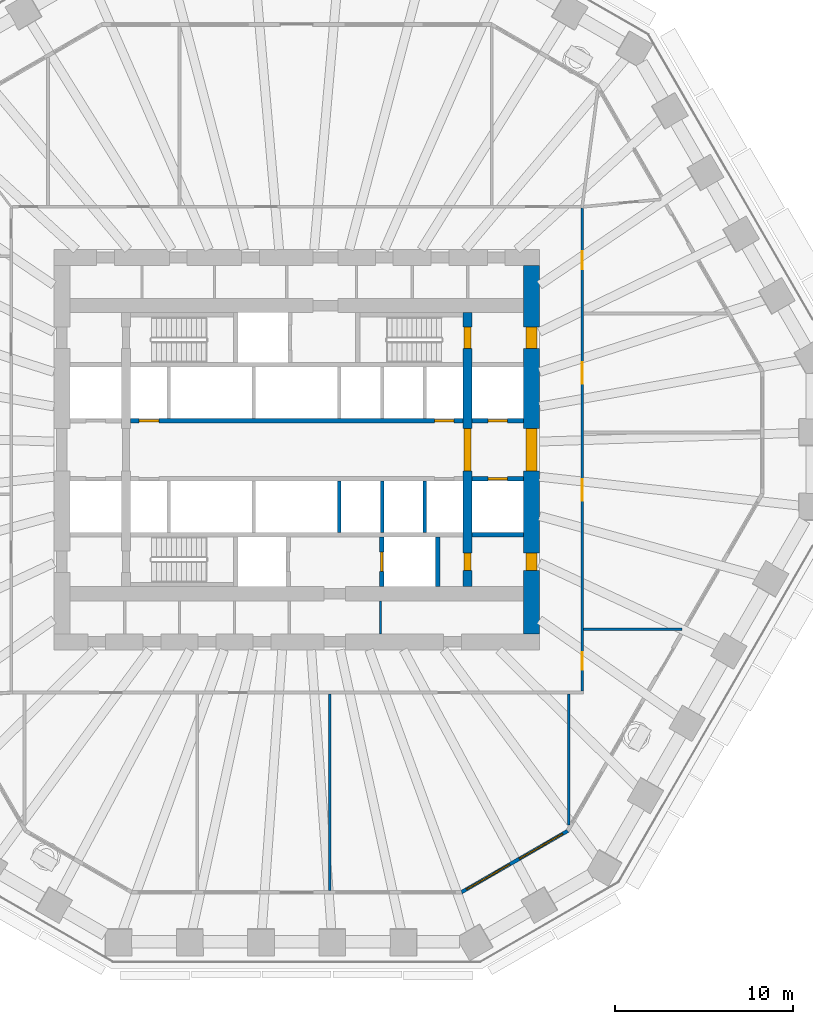
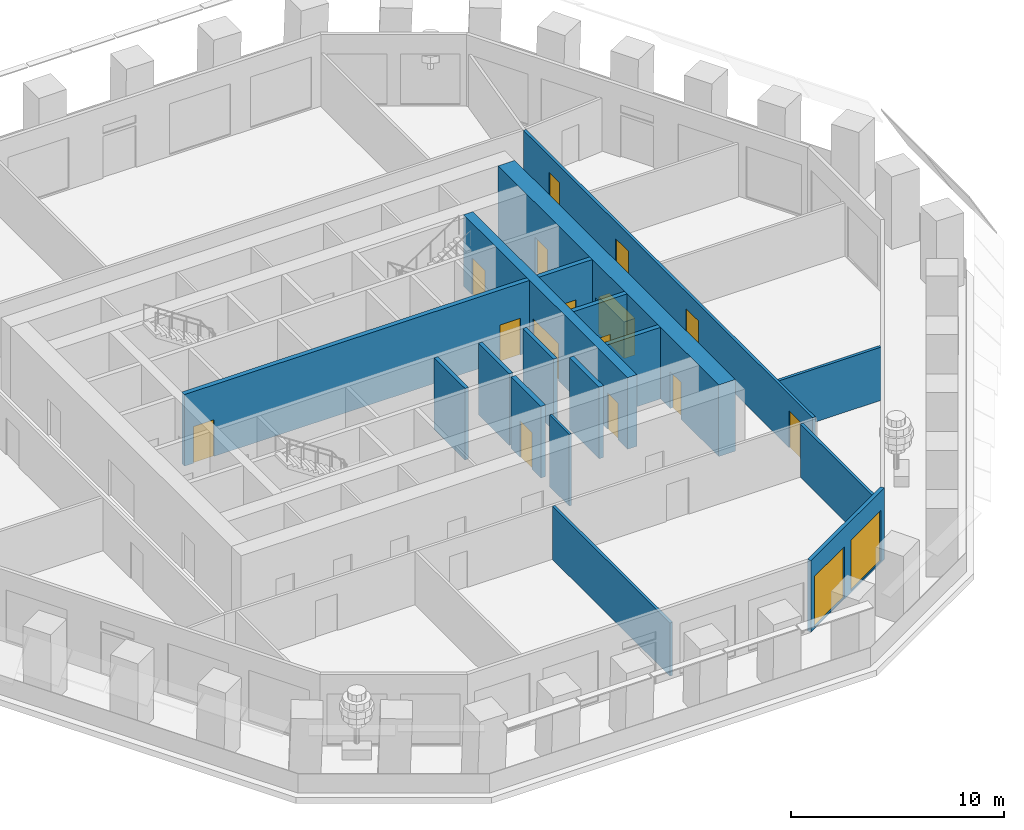
# One storey, part 5 of 12: 17 walls, 15 doors, 2 windows, 17 openings.
"""IFC4 building model written with IfcOpenShell, lengths in metres."""

from ifc_helpers import new_model, si_unit, direction, frame, frame_2d, origin, place, context, subcontext, project, spatial, polyline, rectangle, outline, extrude, material, layer, layer_set, type_object, element, fill, save


model = new_model("IFC4")

# Units and contexts
model_context = context("Model", 3, precision=1e-05, world=origin(), true_north=direction((0.0, 1.0)))
body_context = subcontext(model_context, "Body", "Model", "MODEL_VIEW")
ifc_project = project(units=[si_unit("LENGTHUNIT", "METRE"), si_unit("AREAUNIT", "SQUARE_METRE"), si_unit("VOLUMEUNIT", "CUBIC_METRE"), si_unit("PLANEANGLEUNIT", "RADIAN"), si_unit("MASSUNIT", "GRAM", prefix="KILO")], contexts=[model_context])

# Site, building, storey
site_placement = place(None, origin())
site = spatial("IfcSite", under=ifc_project, at=site_placement, CompositionType="ELEMENT")
building_placement = place(site_placement, origin())
building = spatial("IfcBuilding", under=site, at=building_placement, Name="Frailejon Research Tower", CompositionType="ELEMENT")
storey_placement = place(building_placement, frame((0.0, 0.0, 45.39990234375)))
storey = spatial("IfcBuildingStorey", under=building, at=storey_placement, Name="L10", CompositionType="ELEMENT", Elevation=45.39990234375)

# Wall
ifc_material_1 = material(Name="Plasterboard on steel studs", Category="steel")
ifc_layer_1 = layer(ifc_material_1, 0.125)
ifc_layer_set_1 = layer_set([ifc_layer_1], Name="Core partition 125")
wall_type_1 = type_object("IfcWallType", Name="Core partition 125", PredefinedType="PARTITIONING", material=ifc_layer_set_1)
wall_1_placement = place(storey_placement, frame((4.71240234375, -10.35009765625, 0.0), z_axis=(0.0, 0.0, 1.0), x_axis=(0.0, 1.0, 0.0)))
element("IfcWall", 1, at=wall_1_placement, inside=storey, type_object=wall_type_1, Name="Core partition", PredefinedType="PARTITIONING", context=body_context, shape_type="SweptSolid", body=[
    extrude(rectangle(XDim=1.85009765625, YDim=0.125, at=frame_2d((0.925048828125, 0.0))), origin(), (0.0, 0.0, 1.0), 4.10009765625),
])

# Wall, openings, doors
ifc_material_2 = material(Name="Concrete C70/85", Category="concrete")
ifc_layer_2 = layer(ifc_material_2, 0.5)
ifc_layer_set_2 = layer_set([ifc_layer_2], Name="Core shear wall 500 C70/85")
wall_type_2 = type_object("IfcWallType", Name="Core shear wall 500 C70/85", PredefinedType="SHEAR", material=ifc_layer_set_2)
wall_2_placement = place(storey_placement, frame((9.60009765625, -7.699951171875, 0.0), z_axis=(0.0, 0.0, 1.0), x_axis=(0.0, 1.0, 0.0)))
wall_2 = element("IfcWall", 2, at=wall_2_placement, inside=storey, type_object=wall_type_2, Name="Core shear wall", PredefinedType="SHEAR", context=body_context, shape_type="SweptSolid", body=[
    extrude(rectangle(XDim=15.39990234375, YDim=0.5, at=frame_2d((7.699951171875, 0.0))), origin(), (0.0, 0.0, 1.0), 4.10009765625),
])
opening_1_placement = place(wall_2_placement, frame((6.5, 0.0, 0.0)))
opening_1 = element("IfcOpeningElement", 3, at=opening_1_placement, cuts=wall_2, Name="Opening D2", PredefinedType="OPENING", context=body_context, shape_type="SweptSolid", body=[
    extrude(rectangle(XDim=2.39990234375, YDim=2.10009765625, at=frame_2d((1.199951171875, 1.050048828125))), frame((0.0, 0.260009765625, 0.0), z_axis=(0.0, -1.0, 0.0), x_axis=(1.0, 0.0, 0.0)), (0.0, 0.0, 1.0), 0.52001953125),
])
opening_2_placement = place(wall_2_placement, frame((13.39990234375, 0.0, 0.0)))
opening_2 = element("IfcOpeningElement", 4, at=opening_2_placement, cuts=wall_2, Name="Opening D1", PredefinedType="OPENING", context=body_context, shape_type="SweptSolid", body=[
    extrude(rectangle(XDim=1.199951171875, YDim=2.10009765625, at=frame_2d((0.60009765625, 1.050048828125))), frame((0.0, 0.260009765625, 0.0), z_axis=(0.0, -1.0, 0.0), x_axis=(1.0, 0.0, 0.0)), (0.0, 0.0, 1.0), 0.52001953125),
])
opening_3_placement = place(wall_2_placement, frame((0.89990234375, 0.0, 0.0)))
opening_3 = element("IfcOpeningElement", 5, at=opening_3_placement, cuts=wall_2, Name="Opening D4", PredefinedType="OPENING", context=body_context, shape_type="SweptSolid", body=[
    extrude(rectangle(XDim=1.0, YDim=2.10009765625, at=frame_2d((0.5, 1.050048828125))), frame((0.0, 0.260009765625, 0.0), z_axis=(0.0, -1.0, 0.0), x_axis=(1.0, 0.0, 0.0)), (0.0, 0.0, 1.0), 0.52001953125),
])
ifc_material_3 = material(Name="Steel", Category="steel")
door_type_1 = type_object("IfcDoorType", Name="Lobby double door", OperationType="DOUBLE_DOOR_SINGLE_SWING", PredefinedType="DOOR", material=ifc_material_3)
door_1_placement = place(opening_1_placement, origin())
door_1 = element("IfcDoor", 6, at=door_1_placement, inside=storey, type_object=door_type_1, Name="Lobby door", OperationType="DOUBLE_DOOR_SINGLE_SWING", OverallHeight=2.10009765625, OverallWidth=2.39990234375, PredefinedType="DOOR", context=body_context, shape_type="SweptSolid", body=[
    extrude(rectangle(XDim=2.39990234375, YDim=2.10009765625, at=frame_2d((1.199951171875, 1.050048828125))), frame((0.0, 0.199951171875, 0.0), z_axis=(0.0, -1.0, 0.0), x_axis=(1.0, 0.0, 0.0)), (0.0, 0.0, 1.0), 0.39990234375),
])
fill(opening_1, door_1)
ifc_material_4 = material(Name="Steel", Category="steel")
door_type_2 = type_object("IfcDoorType", Name="Service door", OperationType="SINGLE_SWING_LEFT", PredefinedType="DOOR", material=ifc_material_4)
door_2_placement = place(opening_3_placement, origin())
door_2 = element("IfcDoor", 7, at=door_2_placement, inside=storey, type_object=door_type_2, Name="Riser door", OperationType="SINGLE_SWING_LEFT", OverallHeight=2.10009765625, OverallWidth=1.0, PredefinedType="DOOR", context=body_context, shape_type="SweptSolid", body=[
    extrude(rectangle(XDim=1.0, YDim=2.10009765625, at=frame_2d((0.5, 1.050048828125))), frame((0.0, 0.199951171875, 0.0), z_axis=(0.0, -1.0, 0.0), x_axis=(1.0, 0.0, 0.0)), (0.0, 0.0, 1.0), 0.39990234375),
])
fill(opening_3, door_2)
ifc_material_5 = material(Name="Steel", Category="steel")
door_type_3 = type_object("IfcDoorType", Name="Stair door", OperationType="SINGLE_SWING_LEFT", PredefinedType="DOOR", material=ifc_material_5)
door_3_placement = place(opening_2_placement, origin())
door_3 = element("IfcDoor", 8, at=door_3_placement, inside=storey, type_object=door_type_3, Name="Stair door ST3", OperationType="SINGLE_SWING_LEFT", OverallHeight=2.10009765625, OverallWidth=1.199951171875, PredefinedType="DOOR", context=body_context, shape_type="SweptSolid", body=[
    extrude(rectangle(XDim=1.199951171875, YDim=2.10009765625, at=frame_2d((0.60009765625, 1.050048828125))), frame((0.0, 0.199951171875, 0.0), z_axis=(0.0, -1.0, 0.0), x_axis=(1.0, 0.0, 0.0)), (0.0, 0.0, 1.0), 0.39990234375),
])
fill(opening_2, door_3)

ifc_material_6 = material(Name="Concrete C70/85", Category="concrete")
ifc_layer_3 = layer(ifc_material_6, 0.89990234375)
ifc_layer_set_3 = layer_set([ifc_layer_3], Name="Core shear wall 900 C70/85")
wall_type_3 = type_object("IfcWallType", Name="Core shear wall 900 C70/85", PredefinedType="SHEAR", material=ifc_layer_set_3)
wall_3_placement = place(storey_placement, frame((13.199951171875, -10.35009765625, 0.0), z_axis=(0.0, 0.0, 1.0), x_axis=(0.0, 1.0, 0.0)))
wall_3 = element("IfcWall", 9, at=wall_3_placement, inside=storey, type_object=wall_type_3, Name="Core shear wall", PredefinedType="SHEAR", context=body_context, shape_type="SweptSolid", body=[
    extrude(rectangle(XDim=20.7001953125, YDim=0.89990234375, at=frame_2d((10.35009765625, 0.0))), origin(), (0.0, 0.0, 1.0), 4.10009765625),
])
opening_4_placement = place(wall_3_placement, frame((9.14990234375, 0.0, 0.0)))
opening_4 = element("IfcOpeningElement", 10, at=opening_4_placement, cuts=wall_3, Name="Opening D2", PredefinedType="OPENING", context=body_context, shape_type="SweptSolid", body=[
    extrude(rectangle(XDim=2.39990234375, YDim=2.10009765625, at=frame_2d((1.199951171875, 1.050048828125))), frame((0.0, 0.4599609375, 0.0), z_axis=(0.0, -1.0, 0.0), x_axis=(1.0, 0.0, 0.0)), (0.0, 0.0, 1.0), 0.919921875),
])
opening_5_placement = place(wall_3_placement, frame((16.050048828125, 0.0, 0.0)))
opening_5 = element("IfcOpeningElement", 11, at=opening_5_placement, cuts=wall_3, Name="Opening D7", PredefinedType="OPENING", context=body_context, shape_type="SweptSolid", body=[
    extrude(rectangle(XDim=1.199951171875, YDim=2.10009765625, at=frame_2d((0.60009765625, 1.050048828125))), frame((0.0, 0.4599609375, 0.0), z_axis=(0.0, -1.0, 0.0), x_axis=(1.0, 0.0, 0.0)), (0.0, 0.0, 1.0), 0.919921875),
])
opening_6_placement = place(wall_3_placement, frame((3.550048828125, 0.0, 0.0)))
opening_6 = element("IfcOpeningElement", 12, at=opening_6_placement, cuts=wall_3, Name="Opening D4", PredefinedType="OPENING", context=body_context, shape_type="SweptSolid", body=[
    extrude(rectangle(XDim=1.0, YDim=2.10009765625, at=frame_2d((0.5, 1.050048828125))), frame((0.0, 0.4599609375, 0.0), z_axis=(0.0, -1.0, 0.0), x_axis=(1.0, 0.0, 0.0)), (0.0, 0.0, 1.0), 0.919921875),
])
door_4_placement = place(opening_4_placement, origin())
door_4 = element("IfcDoor", 13, at=door_4_placement, inside=storey, type_object=door_type_1, Name="Lobby door", OperationType="DOUBLE_DOOR_SINGLE_SWING", OverallHeight=2.10009765625, OverallWidth=2.39990234375, PredefinedType="DOOR", context=body_context, shape_type="SweptSolid", body=[
    extrude(rectangle(XDim=2.39990234375, YDim=2.10009765625, at=frame_2d((1.199951171875, 1.050048828125))), frame((0.0, 0.300048828125, 0.0), z_axis=(0.0, -1.0, 0.0), x_axis=(1.0, 0.0, 0.0)), (0.0, 0.0, 1.0), 0.60009765625),
])
fill(opening_4, door_4)
door_5_placement = place(opening_6_placement, origin())
door_5 = element("IfcDoor", 14, at=door_5_placement, inside=storey, type_object=door_type_2, Name="Store door", OperationType="SINGLE_SWING_RIGHT", OverallHeight=2.10009765625, OverallWidth=1.0, PredefinedType="DOOR", context=body_context, shape_type="SweptSolid", body=[
    extrude(rectangle(XDim=1.0, YDim=2.10009765625, at=frame_2d((0.5, 1.050048828125))), frame((0.0, 0.300048828125, 0.0), z_axis=(0.0, -1.0, 0.0), x_axis=(1.0, 0.0, 0.0)), (0.0, 0.0, 1.0), 0.60009765625),
])
fill(opening_6, door_5)
ifc_material_7 = material(Name="Steel", Category="steel")
door_type_4 = type_object("IfcDoorType", Name="Stair exit door", OperationType="SINGLE_SWING_LEFT", PredefinedType="DOOR", material=ifc_material_7)
door_6_placement = place(opening_5_placement, origin())
door_6 = element("IfcDoor", 15, at=door_6_placement, inside=storey, type_object=door_type_4, Name="Stair exit door ST3", OperationType="SINGLE_SWING_RIGHT", OverallHeight=2.10009765625, OverallWidth=1.199951171875, PredefinedType="DOOR", context=body_context, shape_type="SweptSolid", body=[
    extrude(rectangle(XDim=1.199951171875, YDim=2.10009765625, at=frame_2d((0.60009765625, 1.050048828125))), frame((0.0, 0.300048828125, 0.0), z_axis=(0.0, -1.0, 0.0), x_axis=(1.0, 0.0, 0.0)), (0.0, 0.0, 1.0), 0.60009765625),
])
fill(opening_5, door_6)

ifc_material_8 = material(Name="Gypsum board and masonry partition", Category="masonry")
ifc_layer_4 = layer(ifc_material_8, 0.14990234375)
ifc_layer_set_4 = layer_set([ifc_layer_4], Name="Corridor wall EI 60, gypsum on steel studs 150")
wall_type_4 = type_object("IfcWallType", Name="Corridor wall EI 60, gypsum on steel studs 150", PredefinedType="PARTITIONING", material=ifc_layer_set_4)
wall_4_placement = place(storey_placement, frame((16.050048828125, -13.574951171875, 0.0), z_axis=(0.0, 0.0, 1.0), x_axis=(0.0, 1.0, 0.0)))
wall_4 = element("IfcWall", 16, at=wall_4_placement, inside=storey, type_object=wall_type_4, Name="T:IW:L10:001", PredefinedType="PARTITIONING", context=body_context, shape_type="SweptSolid", body=[
    extrude(rectangle(XDim=27.14990234375, YDim=0.14990234375, at=frame_2d((13.574951171875, 0.0))), origin(), (0.0, 0.0, 1.0), 3.050048828125),
])
opening_7_placement = place(wall_4_placement, frame((17.285400390625, 0.0, 0.0)))
opening_7 = element("IfcOpeningElement", 17, at=opening_7_placement, cuts=wall_4, Name="Opening D1387", PredefinedType="OPENING", context=body_context, shape_type="SweptSolid", body=[
    extrude(rectangle(XDim=1.199951171875, YDim=2.10009765625, at=frame_2d((0.60009765625, 1.050048828125))), frame((0.0, 0.0849609375, 0.0), z_axis=(0.0, -1.0, 0.0), x_axis=(1.0, 0.0, 0.0)), (0.0, 0.0, 1.0), 0.169921875),
])
opening_8_placement = place(wall_4_placement, frame((23.726318359375, 0.0, 0.0)))
opening_8 = element("IfcOpeningElement", 18, at=opening_8_placement, cuts=wall_4, Name="Opening D1388", PredefinedType="OPENING", context=body_context, shape_type="SweptSolid", body=[
    extrude(rectangle(XDim=1.0, YDim=2.10009765625, at=frame_2d((0.5, 1.050048828125))), frame((0.0, 0.0849609375, 0.0), z_axis=(0.0, -1.0, 0.0), x_axis=(1.0, 0.0, 0.0)), (0.0, 0.0, 1.0), 0.169921875),
])
opening_9_placement = place(wall_4_placement, frame((1.200439453125, 0.0, 0.0)))
opening_9 = element("IfcOpeningElement", 19, at=opening_9_placement, cuts=wall_4, Name="Opening D1401", PredefinedType="OPENING", context=body_context, shape_type="SweptSolid", body=[
    extrude(rectangle(XDim=1.0, YDim=2.10009765625, at=frame_2d((0.5, 1.050048828125))), frame((0.0, 0.0849609375, 0.0), z_axis=(0.0, -1.0, 0.0), x_axis=(1.0, 0.0, 0.0)), (0.0, 0.0, 1.0), 0.169921875),
])
opening_10_placement = place(wall_4_placement, frame((10.701171875, 0.0, 0.0)))
opening_10 = element("IfcOpeningElement", 20, at=opening_10_placement, cuts=wall_4, Name="Opening D1402", PredefinedType="OPENING", context=body_context, shape_type="SweptSolid", body=[
    extrude(rectangle(XDim=1.199951171875, YDim=2.10009765625, at=frame_2d((0.60009765625, 1.050048828125))), frame((0.0, 0.0849609375, 0.0), z_axis=(0.0, -1.0, 0.0), x_axis=(1.0, 0.0, 0.0)), (0.0, 0.0, 1.0), 0.169921875),
])
ifc_material_9 = material(Name="Timber door leaf", Category="wood")
door_type_5 = type_object("IfcDoorType", Name="Door laboratory, timber, vision panel 1000", OperationType="NOTDEFINED", PredefinedType="DOOR", material=ifc_material_9)
door_7_placement = place(opening_8_placement, origin())
door_7 = element("IfcDoor", 21, at=door_7_placement, inside=storey, type_object=door_type_5, Name="D1388", OperationType="SINGLE_SWING_LEFT", OverallHeight=2.10009765625, OverallWidth=1.0, PredefinedType="DOOR", context=body_context, shape_type="SweptSolid", body=[
    extrude(rectangle(XDim=1.0, YDim=2.10009765625, at=frame_2d((0.5, 1.050048828125))), frame((0.0, 0.02490234375, 0.0), z_axis=(0.0, -1.0, 0.0), x_axis=(1.0, 0.0, 0.0)), (0.0, 0.0, 1.0), 0.050048828125),
])
fill(opening_8, door_7)
ifc_material_10 = material(Name="Timber door leaf", Category="wood")
door_type_6 = type_object("IfcDoorType", Name="Door laboratory, timber, vision panel 1200", OperationType="NOTDEFINED", PredefinedType="DOOR", material=ifc_material_10)
door_8_placement = place(opening_7_placement, origin())
door_8 = element("IfcDoor", 22, at=door_8_placement, inside=storey, type_object=door_type_6, Name="D1387", OperationType="DOUBLE_DOOR_SINGLE_SWING", OverallHeight=2.10009765625, OverallWidth=1.199951171875, PredefinedType="DOOR", context=body_context, shape_type="SweptSolid", body=[
    extrude(rectangle(XDim=1.199951171875, YDim=2.10009765625, at=frame_2d((0.60009765625, 1.050048828125))), frame((0.0, 0.02490234375, 0.0), z_axis=(0.0, -1.0, 0.0), x_axis=(1.0, 0.0, 0.0)), (0.0, 0.0, 1.0), 0.050048828125),
])
fill(opening_7, door_8)
door_9_placement = place(opening_10_placement, origin())
door_9 = element("IfcDoor", 23, at=door_9_placement, inside=storey, type_object=door_type_6, Name="D1402", OperationType="DOUBLE_DOOR_SINGLE_SWING", OverallHeight=2.10009765625, OverallWidth=1.199951171875, PredefinedType="DOOR", context=body_context, shape_type="SweptSolid", body=[
    extrude(rectangle(XDim=1.199951171875, YDim=2.10009765625, at=frame_2d((0.60009765625, 1.050048828125))), frame((0.0, 0.02490234375, 0.0), z_axis=(0.0, -1.0, 0.0), x_axis=(1.0, 0.0, 0.0)), (0.0, 0.0, 1.0), 0.050048828125),
])
fill(opening_10, door_9)
ifc_material_11 = material(Name="Timber door leaf", Category="wood")
door_type_7 = type_object("IfcDoorType", Name="Door single leaf, timber, steel frame 1000", OperationType="NOTDEFINED", PredefinedType="DOOR", material=ifc_material_11)
door_10_placement = place(opening_9_placement, origin())
door_10 = element("IfcDoor", 24, at=door_10_placement, inside=storey, type_object=door_type_7, Name="D1401", OperationType="SINGLE_SWING_LEFT", OverallHeight=2.10009765625, OverallWidth=1.0, PredefinedType="DOOR", context=body_context, shape_type="SweptSolid", body=[
    extrude(rectangle(XDim=1.0, YDim=2.10009765625, at=frame_2d((0.5, 1.050048828125))), frame((0.0, 0.02490234375, 0.0), z_axis=(0.0, -1.0, 0.0), x_axis=(1.0, 0.0, 0.0)), (0.0, 0.0, 1.0), 0.050048828125),
])
fill(opening_9, door_10)

# Walls
ifc_material_12 = material(Name="Gypsum board and masonry partition", Category="masonry")
ifc_layer_5 = layer(ifc_material_12, 0.14990234375)
ifc_layer_set_5 = layer_set([ifc_layer_5], Name="Laboratory partition, blockwork 150")
wall_type_5 = type_object("IfcWallType", Name="Laboratory partition, blockwork 150", PredefinedType="PARTITIONING", material=ifc_layer_set_5)
wall_5_placement = place(storey_placement, frame((1.859619140625, -24.767822265625, 0.0), z_axis=(0.0, 0.0, 1.0), x_axis=(0.0, 1.0, 0.0)))
element("IfcWall", 25, at=wall_5_placement, inside=storey, type_object=wall_type_5, Name="T:IW:L10:017", PredefinedType="PARTITIONING", context=body_context, shape_type="SweptSolid", body=[
    extrude(rectangle(XDim=11.042724609375, YDim=0.14990234375, at=frame_2d((5.521484375, 0.0))), origin(), (0.0, 0.0, 1.0), 3.050048828125),
])
wall_6_placement = place(storey_placement, frame((15.297607421875, -21.103759765625, 0.0), z_axis=(0.0, 0.0, 1.0), x_axis=(0.0, 1.0, 0.0)))
element("IfcWall", 26, at=wall_6_placement, inside=storey, type_object=wall_type_5, Name="T:IW:L10:018", PredefinedType="PARTITIONING", context=body_context, shape_type="SweptSolid", body=[
    extrude(rectangle(XDim=7.378662109375, YDim=0.14990234375, at=frame_2d((3.689453125, 0.0))), origin(), (0.0, 0.0, 1.0), 3.050048828125),
])
wall_7_placement = place(storey_placement, frame((16.125, -10.09912109375, 0.0), z_axis=(0.0, 0.0, 1.0), x_axis=(1.0, 0.0, 0.0)))
element("IfcWall", 27, at=wall_7_placement, inside=storey, type_object=wall_type_5, Name="T:IW:L10:019", PredefinedType="PARTITIONING", context=body_context, shape_type="SweptSolid", body=[
    extrude(rectangle(XDim=5.526123046875, YDim=0.14990234375, at=frame_2d((2.76318359375, 0.0))), origin(), (0.0, 0.0, 1.0), 3.050048828125),
])
ifc_material_13 = material(Name="Concrete C70/85", Category="concrete")
ifc_layer_6 = layer(ifc_material_13, 0.199951171875)
ifc_layer_set_6 = layer_set([ifc_layer_6], Name="Shaft wall 200 C70/85")
wall_type_6 = type_object("IfcWallType", Name="Shaft wall 200 C70/85", PredefinedType="SOLIDWALL", material=ifc_layer_set_6)
for number, where, z_axis, x_axis, name in (
    (28, (2.39990234375, -4.64990234375, 0.0), (0.0, 0.0, 1.0), (0.0, 1.0, 0.0), "Shaft wall"),
    (29, (4.800048828125, -4.64990234375, 0.0), (0.0, 0.0, 1.0), (0.0, 1.0, 0.0), "Shaft wall"),
    (30, (7.199951171875, -4.64990234375, 0.0), (0.0, 0.0, 1.0), (0.0, 1.0, 0.0), "Shaft wall"),
):
    element("IfcWall", number, at=place(storey_placement, frame(where, z_axis=z_axis, x_axis=x_axis)), inside=storey, type_object=wall_type_6, Name=name, PredefinedType="SOLIDWALL", context=body_context, shape_type="SweptSolid", body=[
        extrude(rectangle(XDim=2.89990234375, YDim=0.199951171875, at=frame_2d((1.449951171875, 0.0))), origin(), (0.0, 0.0, 1.0), 4.10009765625),
    ])

# Wall, openings, doors
ifc_material_14 = material(Name="Concrete C70/85", Category="concrete")
ifc_layer_7 = layer(ifc_material_14, 0.25)
ifc_layer_set_7 = layer_set([ifc_layer_7], Name="Shaft wall 250 C70/85")
wall_type_7 = type_object("IfcWallType", Name="Shaft wall 250 C70/85", PredefinedType="SOLIDWALL", material=ifc_layer_set_7)
wall_8_placement = place(storey_placement, frame((-9.35009765625, 1.625, 0.0), z_axis=(0.0, 0.0, 1.0), x_axis=(1.0, 0.0, 0.0)))
wall_8 = element("IfcWall", 31, at=wall_8_placement, inside=storey, type_object=wall_type_7, Name="Shaft wall", PredefinedType="SOLIDWALL", context=body_context, shape_type="SweptSolid", body=[
    extrude(rectangle(XDim=18.7001953125, YDim=0.25, at=frame_2d((9.35009765625, 0.0))), origin(), (0.0, 0.0, 1.0), 4.10009765625),
])
opening_11_placement = place(wall_8_placement, frame((0.5, 0.0, 0.0)))
opening_11 = element("IfcOpeningElement", 32, at=opening_11_placement, cuts=wall_8, Name="Opening LD", PredefinedType="OPENING", context=body_context, shape_type="SweptSolid", body=[
    extrude(rectangle(XDim=1.10009765625, YDim=2.10009765625, at=frame_2d((0.550048828125, 1.050048828125))), frame((0.0, 0.135009765625, 0.0), z_axis=(0.0, -1.0, 0.0), x_axis=(1.0, 0.0, 0.0)), (0.0, 0.0, 1.0), 0.27001953125),
])
opening_12_placement = place(wall_8_placement, frame((17.10009765625, 0.0, 0.0)))
opening_12 = element("IfcOpeningElement", 33, at=opening_12_placement, cuts=wall_8, Name="Opening LD", PredefinedType="OPENING", context=body_context, shape_type="SweptSolid", body=[
    extrude(rectangle(XDim=1.10009765625, YDim=2.10009765625, at=frame_2d((0.550048828125, 1.050048828125))), frame((0.0, 0.135009765625, 0.0), z_axis=(0.0, -1.0, 0.0), x_axis=(1.0, 0.0, 0.0)), (0.0, 0.0, 1.0), 0.27001953125),
])
ifc_material_15 = material(Name="Steel", Category="steel")
door_type_8 = type_object("IfcDoorType", Name="Lift landing door", OperationType="DOUBLE_DOOR_SLIDING", PredefinedType="DOOR", material=ifc_material_15)
door_11_placement = place(opening_11_placement, origin())
door_11 = element("IfcDoor", 34, at=door_11_placement, inside=storey, type_object=door_type_8, Name="Lift landing door", OperationType="DOUBLE_DOOR_SLIDING", OverallHeight=2.10009765625, OverallWidth=1.10009765625, PredefinedType="DOOR", context=body_context, shape_type="SweptSolid", body=[
    extrude(rectangle(XDim=1.10009765625, YDim=2.10009765625, at=frame_2d((0.550048828125, 1.050048828125))), frame((0.0, 0.074951171875, 0.0), z_axis=(0.0, -1.0, 0.0), x_axis=(1.0, 0.0, 0.0)), (0.0, 0.0, 1.0), 0.14990234375),
])
fill(opening_11, door_11)
door_12_placement = place(opening_12_placement, origin())
door_12 = element("IfcDoor", 35, at=door_12_placement, inside=storey, type_object=door_type_8, Name="Lift landing door", OperationType="DOUBLE_DOOR_SLIDING", OverallHeight=2.10009765625, OverallWidth=1.10009765625, PredefinedType="DOOR", context=body_context, shape_type="SweptSolid", body=[
    extrude(rectangle(XDim=1.10009765625, YDim=2.10009765625, at=frame_2d((0.550048828125, 1.050048828125))), frame((0.0, 0.074951171875, 0.0), z_axis=(0.0, -1.0, 0.0), x_axis=(1.0, 0.0, 0.0)), (0.0, 0.0, 1.0), 0.14990234375),
])
fill(opening_12, door_12)

# Wall, opening, door
wall_9_placement = place(storey_placement, frame((9.85009765625, 1.625, 0.0), z_axis=(0.0, 0.0, 1.0), x_axis=(1.0, 0.0, 0.0)))
wall_9 = element("IfcWall", 36, at=wall_9_placement, inside=storey, type_object=wall_type_7, Name="Shaft wall", PredefinedType="SOLIDWALL", context=body_context, shape_type="SweptSolid", body=[
    extrude(rectangle(XDim=2.89990234375, YDim=0.25, at=frame_2d((1.449951171875, 0.0))), origin(), (0.0, 0.0, 1.0), 4.10009765625),
])
opening_13_placement = place(wall_9_placement, frame((0.89990234375, 0.0, 0.0)))
opening_13 = element("IfcOpeningElement", 37, at=opening_13_placement, cuts=wall_9, Name="Opening LD", PredefinedType="OPENING", context=body_context, shape_type="SweptSolid", body=[
    extrude(rectangle(XDim=1.10009765625, YDim=2.10009765625, at=frame_2d((0.550048828125, 1.050048828125))), frame((0.0, 0.135009765625, 0.0), z_axis=(0.0, -1.0, 0.0), x_axis=(1.0, 0.0, 0.0)), (0.0, 0.0, 1.0), 0.27001953125),
])
door_13_placement = place(opening_13_placement, origin())
door_13 = element("IfcDoor", 38, at=door_13_placement, inside=storey, type_object=door_type_8, Name="Lift landing door", OperationType="DOUBLE_DOOR_SLIDING", OverallHeight=2.10009765625, OverallWidth=1.10009765625, PredefinedType="DOOR", context=body_context, shape_type="SweptSolid", body=[
    extrude(rectangle(XDim=1.10009765625, YDim=2.10009765625, at=frame_2d((0.550048828125, 1.050048828125))), frame((0.0, 0.074951171875, 0.0), z_axis=(0.0, -1.0, 0.0), x_axis=(1.0, 0.0, 0.0)), (0.0, 0.0, 1.0), 0.14990234375),
])
fill(opening_13, door_13)

wall_10_placement = place(storey_placement, frame((9.85009765625, -1.625, 0.0), z_axis=(0.0, 0.0, 1.0), x_axis=(1.0, 0.0, 0.0)))
wall_10 = element("IfcWall", 39, at=wall_10_placement, inside=storey, type_object=wall_type_7, Name="Shaft wall", PredefinedType="SOLIDWALL", context=body_context, shape_type="SweptSolid", body=[
    extrude(rectangle(XDim=2.89990234375, YDim=0.25, at=frame_2d((1.449951171875, 0.0))), origin(), (0.0, 0.0, 1.0), 4.10009765625),
])
opening_14_placement = place(wall_10_placement, frame((0.89990234375, 0.0, 0.0)))
opening_14 = element("IfcOpeningElement", 40, at=opening_14_placement, cuts=wall_10, Name="Opening LD", PredefinedType="OPENING", context=body_context, shape_type="SweptSolid", body=[
    extrude(rectangle(XDim=1.10009765625, YDim=2.10009765625, at=frame_2d((0.550048828125, 1.050048828125))), frame((0.0, 0.135009765625, 0.0), z_axis=(0.0, -1.0, 0.0), x_axis=(1.0, 0.0, 0.0)), (0.0, 0.0, 1.0), 0.27001953125),
])
door_14_placement = place(opening_14_placement, origin())
door_14 = element("IfcDoor", 41, at=door_14_placement, inside=storey, type_object=door_type_8, Name="Lift landing door", OperationType="DOUBLE_DOOR_SLIDING", OverallHeight=2.10009765625, OverallWidth=1.10009765625, PredefinedType="DOOR", context=body_context, shape_type="SweptSolid", body=[
    extrude(rectangle(XDim=1.10009765625, YDim=2.10009765625, at=frame_2d((0.550048828125, 1.050048828125))), frame((0.0, 0.074951171875, 0.0), z_axis=(0.0, -1.0, 0.0), x_axis=(1.0, 0.0, 0.0)), (0.0, 0.0, 1.0), 0.14990234375),
])
fill(opening_14, door_14)

# Wall
wall_11_placement = place(storey_placement, frame((9.85009765625, -4.77490234375, 0.0), z_axis=(0.0, 0.0, 1.0), x_axis=(1.0, 0.0, 0.0)))
element("IfcWall", 42, at=wall_11_placement, inside=storey, type_object=wall_type_7, Name="Shaft wall", PredefinedType="SOLIDWALL", context=body_context, shape_type="SweptSolid", body=[
    extrude(rectangle(XDim=2.89990234375, YDim=0.25, at=frame_2d((1.449951171875, 0.0))), origin(), (0.0, 0.0, 1.0), 4.10009765625),
])

# Wall, opening, door
wall_12_placement = place(storey_placement, frame((4.77490234375, -7.699951171875, 0.0), z_axis=(0.0, 0.0, 1.0), x_axis=(0.0, 1.0, 0.0)))
wall_12 = element("IfcWall", 43, at=wall_12_placement, inside=storey, type_object=wall_type_7, Name="Shaft wall", PredefinedType="SOLIDWALL", context=body_context, shape_type="SweptSolid", body=[
    extrude(rectangle(XDim=2.800048828125, YDim=0.25, at=frame_2d((1.39990234375, 0.0))), origin(), (0.0, 0.0, 1.0), 4.10009765625),
])
opening_15_placement = place(wall_12_placement, frame((0.85009765625, 0.0, 0.0)))
opening_15 = element("IfcOpeningElement", 44, at=opening_15_placement, cuts=wall_12, Name="Opening LD", PredefinedType="OPENING", context=body_context, shape_type="SweptSolid", body=[
    extrude(rectangle(XDim=1.10009765625, YDim=2.10009765625, at=frame_2d((0.550048828125, 1.050048828125))), frame((0.0, 0.135009765625, 0.0), z_axis=(0.0, -1.0, 0.0), x_axis=(1.0, 0.0, 0.0)), (0.0, 0.0, 1.0), 0.27001953125),
])
door_15_placement = place(opening_15_placement, origin())
door_15 = element("IfcDoor", 45, at=door_15_placement, inside=storey, type_object=door_type_8, Name="Lift landing door", OperationType="DOUBLE_DOOR_SLIDING", OverallHeight=2.10009765625, OverallWidth=1.10009765625, PredefinedType="DOOR", context=body_context, shape_type="SweptSolid", body=[
    extrude(rectangle(XDim=1.10009765625, YDim=2.10009765625, at=frame_2d((0.550048828125, 1.050048828125))), frame((0.0, 0.074951171875, 0.0), z_axis=(0.0, -1.0, 0.0), x_axis=(1.0, 0.0, 0.0)), (0.0, 0.0, 1.0), 0.14990234375),
])
fill(opening_15, door_15)

# Wall
wall_13_placement = place(storey_placement, frame((7.925048828125, -7.699951171875, 0.0), z_axis=(0.0, 0.0, 1.0), x_axis=(0.0, 1.0, 0.0)))
element("IfcWall", 46, at=wall_13_placement, inside=storey, type_object=wall_type_7, Name="Shaft wall", PredefinedType="SOLIDWALL", context=body_context, shape_type="SweptSolid", body=[
    extrude(rectangle(XDim=2.800048828125, YDim=0.25, at=frame_2d((1.39990234375, 0.0))), origin(), (0.0, 0.0, 1.0), 4.10009765625),
])

# Wall, openings, windows
ifc_material_16 = material(Name="Concrete C40/50 precast window wall panel", Category="concrete")
ifc_layer_8 = layer(ifc_material_16, 0.199951171875)
ifc_layer_set_8 = layer_set([ifc_layer_8], Name="Window wall 200")
wall_type_8 = type_object("IfcWallType", Name="Window wall 200", PredefinedType="SOLIDWALL", material=ifc_layer_set_8)
wall_14_placement = place(storey_placement, frame((9.270751953125, -24.867919921875, 0.0), z_axis=(0.0, 0.0, 1.0), x_axis=(0.866029458321, 0.49999297727, 0.0)))
wall_14 = element("IfcWall", 47, at=wall_14_placement, inside=storey, type_object=wall_type_8, Name="Exterior wall L10", PredefinedType="SOLIDWALL", context=body_context, shape_type="SweptSolid", body=[
    extrude(outline(polyline([(-0.02685546875, -0.10009765625), (1.1279296875, -0.10009765625), (2.282470703125, -0.10009765625), (3.437255859375, -0.10009765625), (4.592041015625, -0.10009765625), (5.74658203125, -0.10009765625), (6.9013671875, -0.10009765625), (6.84765625, 0.10009765625), (5.7109375, 0.10009765625), (4.573974609375, 0.10009765625), (3.437255859375, 0.10009765625), (2.300537109375, 0.10009765625), (1.16357421875, 0.10009765625), (0.02685546875, 0.10009765625), (-0.02685546875, -0.10009765625)])), origin(), (0.0, 0.0, 1.0), 4.10009765625),
])
opening_16_placement = place(wall_14_placement, frame((0.318603515625, 0.0, 0.10009765625)))
opening_16 = element("IfcOpeningElement", 48, at=opening_16_placement, cuts=wall_14, Name="Opening W3", PredefinedType="OPENING", context=body_context, shape_type="SweptSolid", body=[
    extrude(rectangle(XDim=2.800048828125, YDim=2.89990234375, at=frame_2d((1.39990234375, 1.449951171875))), frame((0.0, 0.10986328125, 0.0), z_axis=(0.0, -1.0, 0.0), x_axis=(1.0, 0.0, 0.0)), (0.0, 0.0, 1.0), 0.219970703125),
])
opening_17_placement = place(wall_14_placement, frame((3.756103515625, 0.0, 0.10009765625)))
opening_17 = element("IfcOpeningElement", 49, at=opening_17_placement, cuts=wall_14, Name="Opening W3", PredefinedType="OPENING", context=body_context, shape_type="SweptSolid", body=[
    extrude(rectangle(XDim=2.800048828125, YDim=2.89990234375, at=frame_2d((1.39990234375, 1.449951171875))), frame((0.0, 0.10986328125, 0.0), z_axis=(0.0, -1.0, 0.0), x_axis=(1.0, 0.0, 0.0)), (0.0, 0.0, 1.0), 0.219970703125),
])
ifc_material_17 = material(Name="Aluminium framed double glazing", Category="aluminium")
window_type = type_object("IfcWindowType", Name="Window 2800x2900", PartitioningType="SINGLE_PANEL", PredefinedType="WINDOW", material=ifc_material_17)
window_1_placement = place(opening_16_placement, origin())
window_1 = element("IfcWindow", 50, at=window_1_placement, inside=storey, type_object=window_type, Name="Window L10", OverallHeight=2.89990234375, OverallWidth=2.800048828125, PartitioningType="SINGLE_PANEL", PredefinedType="WINDOW", context=body_context, shape_type="SweptSolid", body=[
    extrude(rectangle(XDim=2.800048828125, YDim=2.89990234375, at=frame_2d((1.39990234375, 1.449951171875))), frame((0.0, 0.030029296875, 0.0), z_axis=(0.0, -1.0, 0.0), x_axis=(1.0, 0.0, 0.0)), (0.0, 0.0, 1.0), 0.06005859375),
])
fill(opening_16, window_1)
window_2_placement = place(opening_17_placement, origin())
window_2 = element("IfcWindow", 51, at=window_2_placement, inside=storey, type_object=window_type, Name="Window L10", OverallHeight=2.89990234375, OverallWidth=2.800048828125, PartitioningType="SINGLE_PANEL", PredefinedType="WINDOW", context=body_context, shape_type="SweptSolid", body=[
    extrude(rectangle(XDim=2.800048828125, YDim=2.89990234375, at=frame_2d((1.39990234375, 1.449951171875))), frame((0.0, 0.030029296875, 0.0), z_axis=(0.0, -1.0, 0.0), x_axis=(1.0, 0.0, 0.0)), (0.0, 0.0, 1.0), 0.06005859375),
])
fill(opening_17, window_2)

save(model, "model.ifc")
